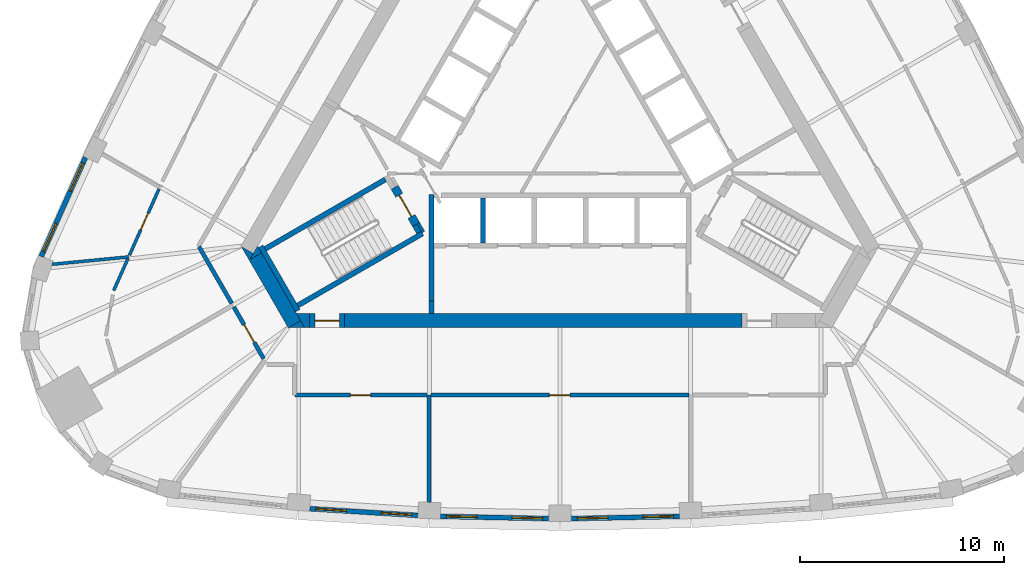
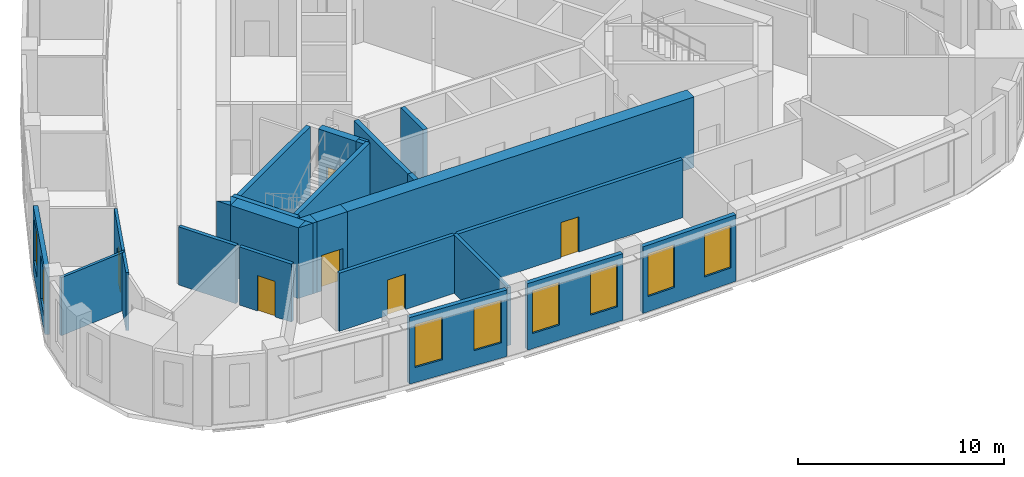
# One storey, part 3 of 11: 28 walls, 8 windows, 6 doors, 14 openings.
"""IFC4 building model written with IfcOpenShell, lengths in metres."""

from ifc_helpers import new_model, si_unit, direction, frame, frame_2d, origin, place, context, subcontext, project, spatial, polyline, rectangle, outline, extrude, material, layer, layer_set, type_object, element, fill, save


model = new_model("IFC4")

# Units and contexts
model_context = context("Model", 3, precision=1e-05, world=origin(), true_north=direction((0.0, 1.0)))
body_context = subcontext(model_context, "Body", "Model", "MODEL_VIEW")
ifc_project = project(units=[si_unit("LENGTHUNIT", "METRE"), si_unit("AREAUNIT", "SQUARE_METRE"), si_unit("VOLUMEUNIT", "CUBIC_METRE"), si_unit("PLANEANGLEUNIT", "RADIAN"), si_unit("MASSUNIT", "GRAM", prefix="KILO")], contexts=[model_context])

# Site, building, storey
site_placement = place(None, origin())
site = spatial("IfcSite", under=ifc_project, at=site_placement, CompositionType="ELEMENT")
building_placement = place(site_placement, origin())
building = spatial("IfcBuilding", under=site, at=building_placement, Name="Mestral Congress Tower", CompositionType="ELEMENT")
storey_placement = place(building_placement, frame((0.0, 0.0, 210.0)))
storey = spatial("IfcBuildingStorey", under=building, at=storey_placement, Name="L49", CompositionType="ELEMENT", Elevation=210.0)

# Walls
ifc_material_1 = material(Name="Concrete C60/75", Category="concrete")
ifc_layer_1 = layer(ifc_material_1, 0.699951171875)
ifc_layer_set_1 = layer_set([ifc_layer_1], Name="Concrete C60/75")
wall_type_1 = type_object("IfcWallType", Name="Core wall RC 700", PredefinedType="SOLIDWALL", material=ifc_layer_set_1)
placement = place(storey_placement, origin())
element("IfcWall", 1, at=placement, inside=storey, type_object=wall_type_1, Name="L49 core wall", PredefinedType="SOLIDWALL", context=body_context, shape_type="SweptSolid", body=[
    extrude(outline(polyline([(-15.213134765625, -7.050048828125), (-15.60107421875, -6.3779296875), (-15.019287109375, -6.714111328125), (-15.213134765625, -7.050048828125)])), origin(), (0.0, 0.0, 1.0), 4.199951171875),
])
wall_2_placement = place(storey_placement, frame((-14.9169921875, -6.86279296875, 0.0), z_axis=(0.0, 0.0, 1.0), x_axis=(0.499972675833, -0.866041178825, 0.0)))
element("IfcWall", 2, at=wall_2_placement, inside=storey, type_object=wall_type_1, Name="L49 core wall", PredefinedType="SOLIDWALL", context=body_context, shape_type="SweptSolid", body=[
    extrude(rectangle(XDim=3.828857421875, YDim=0.699951171875, at=frame_2d((1.91455078125, 0.0))), origin(), (0.0, 0.0, 1.0), 4.199951171875),
])
element("IfcWall", 3, at=placement, inside=storey, type_object=wall_type_1, Name="L49 core wall", PredefinedType="SOLIDWALL", context=body_context, shape_type="SweptSolid", body=[
    extrude(outline(polyline([(-14.80908203125, -6.35009765625), (-14.614990234375, -6.68603515625), (-15.197265625, -7.022216796875), (-14.80908203125, -6.35009765625)])), origin(), (0.0, 0.0, 1.0), 4.199951171875),
])
element("IfcWall", 4, at=placement, inside=storey, type_object=wall_type_1, Name="L49 core wall", PredefinedType="SOLIDWALL", context=body_context, shape_type="SweptSolid", body=[
    extrude(outline(polyline([(-12.49951171875, -10.35009765625), (-13.295654296875, -10.35009765625), (-12.698486328125, -10.00537109375), (-12.49951171875, -10.35009765625)])), origin(), (0.0, 0.0, 1.0), 4.199951171875),
])
element("IfcWall", 5, at=placement, inside=storey, type_object=wall_type_1, Name="L49 core wall", PredefinedType="SOLIDWALL", context=body_context, shape_type="SweptSolid", body=[
    extrude(outline(polyline([(-12.256591796875, -10.35009765625), (-12.49951171875, -10.35009765625), (-12.90380859375, -9.64990234375), (-12.256591796875, -9.64990234375), (-12.256591796875, -10.35009765625)])), origin(), (0.0, 0.0, 1.0), 4.199951171875),
])
wall_6_placement = place(storey_placement, frame((-10.556396484375, -10.0, 0.0), z_axis=(0.0, 0.0, 1.0), x_axis=(1.0, 0.0, 0.0)))
element("IfcWall", 6, at=wall_6_placement, inside=storey, type_object=wall_type_1, Name="L49 core wall", PredefinedType="SOLIDWALL", context=body_context, shape_type="SweptSolid", body=[
    extrude(rectangle(XDim=19.460693359375, YDim=0.699951171875, at=frame_2d((9.73046875, 0.0))), origin(), (0.0, 0.0, 1.0), 4.199951171875),
])

# Wall, opening, door
wall_7_placement = place(storey_placement, frame((-10.556396484375, -10.0, 0.0), z_axis=(0.0, 0.0, 1.0), x_axis=(-1.0, 0.0, 0.0)))
wall_7 = element("IfcWall", 7, at=wall_7_placement, inside=storey, type_object=wall_type_1, Name="L49 door wall", PredefinedType="SOLIDWALL", context=body_context, shape_type="SweptSolid", body=[
    extrude(rectangle(XDim=1.699951171875, YDim=0.699951171875, at=frame_2d((0.85009765625, 0.0))), origin(), (0.0, 0.0, 1.0), 4.199951171875),
])
opening_1_placement = place(wall_7_placement, frame((0.25, 0.0, 0.0)))
opening_1 = element("IfcOpeningElement", 8, at=opening_1_placement, cuts=wall_7, Name="Opening XD3", PredefinedType="OPENING", context=body_context, shape_type="SweptSolid", body=[
    extrude(rectangle(XDim=1.199951171875, YDim=2.10009765625, at=frame_2d((0.60009765625, 1.050048828125))), frame((0.0, 0.35986328125, 0.0), z_axis=(0.0, -1.0, 0.0), x_axis=(1.0, 0.0, 0.0)), (0.0, 0.0, 1.0), 0.719970703125),
])
ifc_material_2 = material(Name="Fire-rated steel door set", Category="steel")
door_type_1 = type_object("IfcDoorType", Name="Core door XD 1200x2100", OperationType="SINGLE_SWING_LEFT", PredefinedType="DOOR", material=ifc_material_2)
door_1_placement = place(opening_1_placement, origin())
door_1 = element("IfcDoor", 9, at=door_1_placement, inside=storey, type_object=door_type_1, Name="Door XD3", OperationType="SINGLE_SWING_LEFT", OverallHeight=2.10009765625, OverallWidth=1.199951171875, PredefinedType="DOOR", context=body_context, shape_type="SweptSolid", body=[
    extrude(rectangle(XDim=1.199951171875, YDim=2.10009765625, at=frame_2d((0.60009765625, 1.050048828125))), frame((0.0, 0.02490234375, 0.0), z_axis=(0.0, -1.0, 0.0), x_axis=(1.0, 0.0, 0.0)), (0.0, 0.0, 1.0), 0.050048828125),
])
fill(opening_1, door_1)

# Wall, openings, windows
ifc_material_3 = material(Name="Precast concrete C40/50 with limestone facing", Category="masonry")
ifc_layer_2 = layer(ifc_material_3, 0.239990234375)
ifc_layer_set_2 = layer_set([ifc_layer_2], Name="Precast concrete C40/50 with limestone facing")
wall_type_2 = type_object("IfcWallType", Name="Facade stone wall 240", PredefinedType="SOLIDWALL", material=ifc_layer_set_2)
wall_8_placement = place(storey_placement, frame((-12.253173828125, -19.21337890625, 0.0), z_axis=(0.0, 0.0, 1.0), x_axis=(0.9980633213, -0.062206162685, 0.0)))
wall_8 = element("IfcWall", 10, at=wall_8_placement, inside=storey, type_object=wall_type_2, Name="Facade wall F0-01", PredefinedType="SOLIDWALL", context=body_context, shape_type="SweptSolid", body=[
    extrude(rectangle(XDim=5.29833984375, YDim=0.239990234375, at=frame_2d((2.649169921875, 0.0))), origin(), (0.0, 0.0, 1.0), 3.949951171875),
])
opening_2_placement = place(wall_8_placement, frame((0.29443359375, 0.0, 0.89990234375)))
opening_2 = element("IfcOpeningElement", 11, at=opening_2_placement, cuts=wall_8, Name="Opening W4", PredefinedType="OPENING", context=body_context, shape_type="SweptSolid", body=[
    extrude(rectangle(XDim=1.5, YDim=2.550048828125, at=frame_2d((0.75, 1.27490234375))), frame((0.0, 0.1298828125, 0.0), z_axis=(0.0, -1.0, 0.0), x_axis=(1.0, 0.0, 0.0)), (0.0, 0.0, 1.0), 0.260009765625),
])
opening_3_placement = place(wall_8_placement, frame((3.503662109375, 0.0, 0.89990234375)))
opening_3 = element("IfcOpeningElement", 12, at=opening_3_placement, cuts=wall_8, Name="Opening W4", PredefinedType="OPENING", context=body_context, shape_type="SweptSolid", body=[
    extrude(rectangle(XDim=1.5, YDim=2.550048828125, at=frame_2d((0.75, 1.27490234375))), frame((0.0, 0.1298828125, 0.0), z_axis=(0.0, -1.0, 0.0), x_axis=(1.0, 0.0, 0.0)), (0.0, 0.0, 1.0), 0.260009765625),
])
ifc_material_4 = material(Name="Clear low-emissivity double glazing", Category="glass")
window_type = type_object("IfcWindowType", Name="Facade punched window 1500 x 2550 sill 900", PartitioningType="SINGLE_PANEL", PredefinedType="WINDOW", material=ifc_material_4)
window_1_placement = place(opening_2_placement, origin())
window_1 = element("IfcWindow", 13, at=window_1_placement, inside=storey, type_object=window_type, Name="Window F0-01a", OverallHeight=2.550048828125, OverallWidth=1.5, PartitioningType="SINGLE_PANEL", PredefinedType="WINDOW", context=body_context, shape_type="SweptSolid", body=[
    extrude(rectangle(XDim=1.5, YDim=2.550048828125, at=frame_2d((0.75, 1.27490234375))), frame((0.0, 0.0400390625, 0.0), z_axis=(0.0, -1.0, 0.0), x_axis=(1.0, 0.0, 0.0)), (0.0, 0.0, 1.0), 0.06005859375),
])
fill(opening_2, window_1)
window_2_placement = place(opening_3_placement, origin())
window_2 = element("IfcWindow", 14, at=window_2_placement, inside=storey, type_object=window_type, Name="Window F0-01b", OverallHeight=2.550048828125, OverallWidth=1.5, PartitioningType="SINGLE_PANEL", PredefinedType="WINDOW", context=body_context, shape_type="SweptSolid", body=[
    extrude(rectangle(XDim=1.5, YDim=2.550048828125, at=frame_2d((0.75, 1.27490234375))), frame((0.0, 0.0400390625, 0.0), z_axis=(0.0, -1.0, 0.0), x_axis=(1.0, 0.0, 0.0)), (0.0, 0.0, 1.0), 0.06005859375),
])
fill(opening_3, window_2)

wall_9_placement = place(storey_placement, frame((-5.853515625, -19.589111328125, 0.0), z_axis=(0.0, 0.0, 1.0), x_axis=(0.999784035184, -0.020781794712, 0.0)))
wall_9 = element("IfcWall", 15, at=wall_9_placement, inside=storey, type_object=wall_type_2, Name="Facade wall F0-02", PredefinedType="SOLIDWALL", context=body_context, shape_type="SweptSolid", body=[
    extrude(rectangle(XDim=5.29833984375, YDim=0.239990234375, at=frame_2d((2.649169921875, 0.0))), origin(), (0.0, 0.0, 1.0), 3.949951171875),
])
opening_4_placement = place(wall_9_placement, frame((0.29443359375, 0.0, 0.89990234375)))
opening_4 = element("IfcOpeningElement", 16, at=opening_4_placement, cuts=wall_9, Name="Opening W4", PredefinedType="OPENING", context=body_context, shape_type="SweptSolid", body=[
    extrude(rectangle(XDim=1.5, YDim=2.550048828125, at=frame_2d((0.75, 1.27490234375))), frame((0.0, 0.1298828125, 0.0), z_axis=(0.0, -1.0, 0.0), x_axis=(1.0, 0.0, 0.0)), (0.0, 0.0, 1.0), 0.260009765625),
])
opening_5_placement = place(wall_9_placement, frame((3.503662109375, 0.0, 0.89990234375)))
opening_5 = element("IfcOpeningElement", 17, at=opening_5_placement, cuts=wall_9, Name="Opening W4", PredefinedType="OPENING", context=body_context, shape_type="SweptSolid", body=[
    extrude(rectangle(XDim=1.5, YDim=2.550048828125, at=frame_2d((0.75, 1.27490234375))), frame((0.0, 0.1298828125, 0.0), z_axis=(0.0, -1.0, 0.0), x_axis=(1.0, 0.0, 0.0)), (0.0, 0.0, 1.0), 0.260009765625),
])
window_3_placement = place(opening_4_placement, origin())
window_3 = element("IfcWindow", 18, at=window_3_placement, inside=storey, type_object=window_type, Name="Window F0-02a", OverallHeight=2.550048828125, OverallWidth=1.5, PartitioningType="SINGLE_PANEL", PredefinedType="WINDOW", context=body_context, shape_type="SweptSolid", body=[
    extrude(rectangle(XDim=1.5, YDim=2.550048828125, at=frame_2d((0.75, 1.27490234375))), frame((0.0, 0.0400390625, 0.0), z_axis=(0.0, -1.0, 0.0), x_axis=(1.0, 0.0, 0.0)), (0.0, 0.0, 1.0), 0.06005859375),
])
fill(opening_4, window_3)
window_4_placement = place(opening_5_placement, origin())
window_4 = element("IfcWindow", 19, at=window_4_placement, inside=storey, type_object=window_type, Name="Window F0-02b", OverallHeight=2.550048828125, OverallWidth=1.5, PartitioningType="SINGLE_PANEL", PredefinedType="WINDOW", context=body_context, shape_type="SweptSolid", body=[
    extrude(rectangle(XDim=1.5, YDim=2.550048828125, at=frame_2d((0.75, 1.27490234375))), frame((0.0, 0.0400390625, 0.0), z_axis=(0.0, -1.0, 0.0), x_axis=(1.0, 0.0, 0.0)), (0.0, 0.0, 1.0), 0.06005859375),
])
fill(opening_5, window_4)

wall_10_placement = place(storey_placement, frame((0.556396484375, -19.69921875, 0.0), z_axis=(0.0, 0.0, 1.0), x_axis=(0.999784035184, 0.020781794712, 0.0)))
wall_10 = element("IfcWall", 20, at=wall_10_placement, inside=storey, type_object=wall_type_2, Name="Facade wall F0-03", PredefinedType="SOLIDWALL", context=body_context, shape_type="SweptSolid", body=[
    extrude(rectangle(XDim=5.29833984375, YDim=0.239990234375, at=frame_2d((2.649169921875, 0.0))), origin(), (0.0, 0.0, 1.0), 3.949951171875),
])
opening_6_placement = place(wall_10_placement, frame((0.29443359375, 0.0, 0.89990234375)))
opening_6 = element("IfcOpeningElement", 21, at=opening_6_placement, cuts=wall_10, Name="Opening W4", PredefinedType="OPENING", context=body_context, shape_type="SweptSolid", body=[
    extrude(rectangle(XDim=1.5, YDim=2.550048828125, at=frame_2d((0.75, 1.27490234375))), frame((0.0, 0.1298828125, 0.0), z_axis=(0.0, -1.0, 0.0), x_axis=(1.0, 0.0, 0.0)), (0.0, 0.0, 1.0), 0.260009765625),
])
opening_7_placement = place(wall_10_placement, frame((3.503662109375, 0.0, 0.89990234375)))
opening_7 = element("IfcOpeningElement", 22, at=opening_7_placement, cuts=wall_10, Name="Opening W4", PredefinedType="OPENING", context=body_context, shape_type="SweptSolid", body=[
    extrude(rectangle(XDim=1.5, YDim=2.550048828125, at=frame_2d((0.75, 1.27490234375))), frame((0.0, 0.1298828125, 0.0), z_axis=(0.0, -1.0, 0.0), x_axis=(1.0, 0.0, 0.0)), (0.0, 0.0, 1.0), 0.260009765625),
])
window_5_placement = place(opening_6_placement, origin())
window_5 = element("IfcWindow", 23, at=window_5_placement, inside=storey, type_object=window_type, Name="Window F0-03a", OverallHeight=2.550048828125, OverallWidth=1.5, PartitioningType="SINGLE_PANEL", PredefinedType="WINDOW", context=body_context, shape_type="SweptSolid", body=[
    extrude(rectangle(XDim=1.5, YDim=2.550048828125, at=frame_2d((0.75, 1.27490234375))), frame((0.0, 0.0400390625, 0.0), z_axis=(0.0, -1.0, 0.0), x_axis=(1.0, 0.0, 0.0)), (0.0, 0.0, 1.0), 0.06005859375),
])
fill(opening_6, window_5)
window_6_placement = place(opening_7_placement, origin())
window_6 = element("IfcWindow", 24, at=window_6_placement, inside=storey, type_object=window_type, Name="Window F0-03b", OverallHeight=2.550048828125, OverallWidth=1.5, PartitioningType="SINGLE_PANEL", PredefinedType="WINDOW", context=body_context, shape_type="SweptSolid", body=[
    extrude(rectangle(XDim=1.5, YDim=2.550048828125, at=frame_2d((0.75, 1.27490234375))), frame((0.0, 0.0400390625, 0.0), z_axis=(0.0, -1.0, 0.0), x_axis=(1.0, 0.0, 0.0)), (0.0, 0.0, 1.0), 0.06005859375),
])
fill(opening_7, window_6)

wall_11_placement = place(storey_placement, frame((-23.240478515625, -2.01123046875, 0.0), z_axis=(0.0, 0.0, 1.0), x_axis=(-0.407579651789, -0.913169659728, 0.0)))
wall_11 = element("IfcWall", 25, at=wall_11_placement, inside=storey, type_object=wall_type_2, Name="Facade wall F2-05", PredefinedType="SOLIDWALL", context=body_context, shape_type="SweptSolid", body=[
    extrude(rectangle(XDim=5.310791015625, YDim=0.239990234375, at=frame_2d((2.6552734375, 0.0))), origin(), (0.0, 0.0, 1.0), 3.949951171875),
])
opening_8_placement = place(wall_11_placement, frame((0.306396484375, 0.0, 0.89990234375)))
opening_8 = element("IfcOpeningElement", 26, at=opening_8_placement, cuts=wall_11, Name="Opening W4", PredefinedType="OPENING", context=body_context, shape_type="SweptSolid", body=[
    extrude(rectangle(XDim=1.5, YDim=2.550048828125, at=frame_2d((0.75, 1.27490234375))), frame((0.0, 0.1298828125, 0.0), z_axis=(0.0, -1.0, 0.0), x_axis=(1.0, 0.0, 0.0)), (0.0, 0.0, 1.0), 0.260009765625),
])
opening_9_placement = place(wall_11_placement, frame((3.539306640625, 0.0, 0.89990234375)))
opening_9 = element("IfcOpeningElement", 27, at=opening_9_placement, cuts=wall_11, Name="Opening W4", PredefinedType="OPENING", context=body_context, shape_type="SweptSolid", body=[
    extrude(rectangle(XDim=1.5, YDim=2.550048828125, at=frame_2d((0.75, 1.27490234375))), frame((0.0, 0.1298828125, 0.0), z_axis=(0.0, -1.0, 0.0), x_axis=(1.0, 0.0, 0.0)), (0.0, 0.0, 1.0), 0.260009765625),
])
window_7_placement = place(opening_8_placement, origin())
window_7 = element("IfcWindow", 28, at=window_7_placement, inside=storey, type_object=window_type, Name="Window F2-05a", OverallHeight=2.550048828125, OverallWidth=1.5, PartitioningType="SINGLE_PANEL", PredefinedType="WINDOW", context=body_context, shape_type="SweptSolid", body=[
    extrude(rectangle(XDim=1.5, YDim=2.550048828125, at=frame_2d((0.75, 1.27490234375))), frame((0.0, 0.0400390625, 0.0), z_axis=(0.0, -1.0, 0.0), x_axis=(1.0, 0.0, 0.0)), (0.0, 0.0, 1.0), 0.06005859375),
])
fill(opening_8, window_7)
window_8_placement = place(opening_9_placement, origin())
window_8 = element("IfcWindow", 29, at=window_8_placement, inside=storey, type_object=window_type, Name="Window F2-05b", OverallHeight=2.550048828125, OverallWidth=1.5, PartitioningType="SINGLE_PANEL", PredefinedType="WINDOW", context=body_context, shape_type="SweptSolid", body=[
    extrude(rectangle(XDim=1.5, YDim=2.550048828125, at=frame_2d((0.75, 1.27490234375))), frame((0.0, 0.0400390625, 0.0), z_axis=(0.0, -1.0, 0.0), x_axis=(1.0, 0.0, 0.0)), (0.0, 0.0, 1.0), 0.06005859375),
])
fill(opening_9, window_8)

# Wall
ifc_material_5 = material(Name="Plasterboard partition on steel studs", Category="steel")
ifc_layer_3 = layer(ifc_material_5, 0.14990234375)
ifc_layer_set_3 = layer_set([ifc_layer_3], Name="Plasterboard partition on steel studs")
wall_type_3 = type_object("IfcWallType", Name="Office partition 150", PredefinedType="PARTITIONING", material=ifc_layer_set_3)
wall_12_placement = place(storey_placement, frame((-21.121826171875, -6.882080078125, 0.0), z_axis=(0.0, 0.0, 1.0), x_axis=(-0.995354824533, -0.096274468471, 0.0)))
element("IfcWall", 30, at=wall_12_placement, inside=storey, type_object=wall_type_3, Name="Partition", PredefinedType="PARTITIONING", context=body_context, shape_type="SweptSolid", body=[
    extrude(rectangle(XDim=3.765869140625, YDim=0.14990234375, at=frame_2d((1.8828125, 0.0))), origin(), (0.0, 0.0, 1.0), 3.449951171875),
])

# Wall, opening, door
wall_13_placement = place(storey_placement, frame((-21.086669921875, -6.803466796875, 0.0), z_axis=(0.0, 0.0, 1.0), x_axis=(0.40757725445, 0.913170729741, 0.0)))
wall_13 = element("IfcWall", 31, at=wall_13_placement, inside=storey, type_object=wall_type_3, Name="Partition", PredefinedType="PARTITIONING", context=body_context, shape_type="SweptSolid", body=[
    extrude(rectangle(XDim=3.556884765625, YDim=0.14990234375, at=frame_2d((1.7783203125, 0.0))), origin(), (0.0, 0.0, 1.0), 3.449951171875),
])
opening_10_placement = place(wall_13_placement, frame((1.356689453125, 0.0, 0.0)))
opening_10 = element("IfcOpeningElement", 32, at=opening_10_placement, cuts=wall_13, Name="Opening O06-016", PredefinedType="OPENING", context=body_context, shape_type="SweptSolid", body=[
    extrude(rectangle(XDim=0.89990234375, YDim=2.10009765625, at=frame_2d((0.449951171875, 1.050048828125))), frame((0.0, 0.0849609375, 0.0), z_axis=(0.0, -1.0, 0.0), x_axis=(1.0, 0.0, 0.0)), (0.0, 0.0, 1.0), 0.169921875),
])
ifc_material_6 = material(Name="Timber door set", Category="wood")
door_type_2 = type_object("IfcDoorType", Name="Office door 900x2100", OperationType="SINGLE_SWING_LEFT", PredefinedType="DOOR", material=ifc_material_6)
door_2_placement = place(opening_10_placement, origin())
door_2 = element("IfcDoor", 33, at=door_2_placement, inside=storey, type_object=door_type_2, Name="Door O06-016", OperationType="SINGLE_SWING_RIGHT", OverallHeight=2.10009765625, OverallWidth=0.89990234375, PredefinedType="DOOR", context=body_context, shape_type="SweptSolid", body=[
    extrude(rectangle(XDim=0.89990234375, YDim=2.10009765625, at=frame_2d((0.449951171875, 1.050048828125))), frame((0.0, 0.02490234375, 0.0), z_axis=(0.0, -1.0, 0.0), x_axis=(1.0, 0.0, 0.0)), (0.0, 0.0, 1.0), 0.050048828125),
])
fill(opening_10, door_2)

# Walls
wall_14_placement = place(storey_placement, frame((-21.156982421875, -6.9609375, 0.0), z_axis=(0.0, 0.0, 1.0), x_axis=(-0.407627569492, -0.913148270869, 0.0)))
element("IfcWall", 34, at=wall_14_placement, inside=storey, type_object=wall_type_3, Name="Partition", PredefinedType="PARTITIONING", context=body_context, shape_type="SweptSolid", body=[
    extrude(rectangle(XDim=1.71826171875, YDim=0.14990234375, at=frame_2d((0.859130859375, 0.0))), origin(), (0.0, 0.0, 1.0), 3.449951171875),
])
ifc_material_7 = material(Name="Dense masonry wall, plastered", Category="masonry")
ifc_layer_4 = layer(ifc_material_7, 0.199951171875)
ifc_layer_set_4 = layer_set([ifc_layer_4], Name="Dense masonry wall, plastered")
wall_type_4 = type_object("IfcWallType", Name="Office tenancy wall 200", PredefinedType="PARTITIONING", material=ifc_layer_set_4)
wall_15_placement = place(storey_placement, frame((-6.416748046875, -13.64990234375, 0.0), z_axis=(0.0, 0.0, 1.0), x_axis=(0.0, -1.0, 0.0)))
element("IfcWall", 35, at=wall_15_placement, inside=storey, type_object=wall_type_4, Name="Tenancy wall", PredefinedType="PARTITIONING", context=body_context, shape_type="SweptSolid", body=[
    extrude(rectangle(XDim=5.246826171875, YDim=0.199951171875, at=frame_2d((2.62353515625, 0.0))), origin(), (0.0, 0.0, 1.0), 3.449951171875),
])

# Wall, opening, door
wall_16_placement = place(storey_placement, frame((-12.969970703125, -13.64990234375, 0.0), z_axis=(0.0, 0.0, 1.0), x_axis=(1.0, 0.0, 0.0)))
wall_16 = element("IfcWall", 36, at=wall_16_placement, inside=storey, type_object=wall_type_4, Name="Tenancy wall", PredefinedType="PARTITIONING", context=body_context, shape_type="SweptSolid", body=[
    extrude(rectangle(XDim=6.453125, YDim=0.199951171875, at=frame_2d((3.2265625, 0.0))), origin(), (0.0, 0.0, 1.0), 3.449951171875),
])
opening_11_placement = place(wall_16_placement, frame((2.699951171875, 0.0, 0.0)))
opening_11 = element("IfcOpeningElement", 37, at=opening_11_placement, cuts=wall_16, Name="Opening O06-001", PredefinedType="OPENING", context=body_context, shape_type="SweptSolid", body=[
    extrude(rectangle(XDim=1.0, YDim=2.10009765625, at=frame_2d((0.5, 1.050048828125))), frame((0.0, 0.10986328125, 0.0), z_axis=(0.0, -1.0, 0.0), x_axis=(1.0, 0.0, 0.0)), (0.0, 0.0, 1.0), 0.219970703125),
])
ifc_material_8 = material(Name="Fire-rated timber door set", Category="wood")
door_type_3 = type_object("IfcDoorType", Name="Office tenancy entrance door 1000x2100", OperationType="SINGLE_SWING_LEFT", PredefinedType="DOOR", material=ifc_material_8)
door_3_placement = place(opening_11_placement, origin())
door_3 = element("IfcDoor", 38, at=door_3_placement, inside=storey, type_object=door_type_3, Name="Door O06-001", OperationType="SINGLE_SWING_LEFT", OverallHeight=2.10009765625, OverallWidth=1.0, PredefinedType="DOOR", context=body_context, shape_type="SweptSolid", body=[
    extrude(rectangle(XDim=1.0, YDim=2.10009765625, at=frame_2d((0.5, 1.050048828125))), frame((0.0, 0.02490234375, 0.0), z_axis=(0.0, -1.0, 0.0), x_axis=(1.0, 0.0, 0.0)), (0.0, 0.0, 1.0), 0.050048828125),
])
fill(opening_11, door_3)

wall_17_placement = place(storey_placement, frame((-6.31689453125, -13.64990234375, 0.0), z_axis=(0.0, 0.0, 1.0), x_axis=(1.0, 0.0, 0.0)))
wall_17 = element("IfcWall", 39, at=wall_17_placement, inside=storey, type_object=wall_type_4, Name="Tenancy wall", PredefinedType="PARTITIONING", context=body_context, shape_type="SweptSolid", body=[
    extrude(rectangle(XDim=12.6337890625, YDim=0.199951171875, at=frame_2d((6.31689453125, 0.0))), origin(), (0.0, 0.0, 1.0), 3.449951171875),
])
opening_12_placement = place(wall_17_placement, frame((5.800048828125, 0.0, 0.0)))
opening_12 = element("IfcOpeningElement", 40, at=opening_12_placement, cuts=wall_17, Name="Opening O06-002", PredefinedType="OPENING", context=body_context, shape_type="SweptSolid", body=[
    extrude(rectangle(XDim=1.0, YDim=2.10009765625, at=frame_2d((0.5, 1.050048828125))), frame((0.0, 0.10986328125, 0.0), z_axis=(0.0, -1.0, 0.0), x_axis=(1.0, 0.0, 0.0)), (0.0, 0.0, 1.0), 0.219970703125),
])
door_4_placement = place(opening_12_placement, origin())
door_4 = element("IfcDoor", 41, at=door_4_placement, inside=storey, type_object=door_type_3, Name="Door O06-002", OperationType="SINGLE_SWING_LEFT", OverallHeight=2.10009765625, OverallWidth=1.0, PredefinedType="DOOR", context=body_context, shape_type="SweptSolid", body=[
    extrude(rectangle(XDim=1.0, YDim=2.10009765625, at=frame_2d((0.5, 1.050048828125))), frame((0.0, 0.02490234375, 0.0), z_axis=(0.0, -1.0, 0.0), x_axis=(1.0, 0.0, 0.0)), (0.0, 0.0, 1.0), 0.050048828125),
])
fill(opening_12, door_4)

# Wall
wall_18_placement = place(storey_placement, frame((-17.680908203125, -6.3759765625, 0.0), z_axis=(0.0, 0.0, 1.0), x_axis=(0.500022299258, -0.866012528919, 0.0)))
element("IfcWall", 42, at=wall_18_placement, inside=storey, type_object=wall_type_4, Name="Tenancy wall", PredefinedType="PARTITIONING", context=body_context, shape_type="SweptSolid", body=[
    extrude(rectangle(XDim=3.218505859375, YDim=0.199951171875, at=frame_2d((1.609375, 0.0))), origin(), (0.0, 0.0, 1.0), 3.449951171875),
])

# Wall, opening, door
wall_19_placement = place(storey_placement, frame((-15.971435546875, -9.336669921875, 0.0), z_axis=(0.0, 0.0, 1.0), x_axis=(0.500007233661, -0.866021227388, 0.0)))
wall_19 = element("IfcWall", 43, at=wall_19_placement, inside=storey, type_object=wall_type_4, Name="Tenancy wall", PredefinedType="PARTITIONING", context=body_context, shape_type="SweptSolid", body=[
    extrude(rectangle(XDim=2.9189453125, YDim=0.199951171875, at=frame_2d((1.45947265625, 0.0))), origin(), (0.0, 0.0, 1.0), 3.449951171875),
])
opening_13_placement = place(wall_19_placement, frame((1.0, 0.0, 0.0)))
opening_13 = element("IfcOpeningElement", 44, at=opening_13_placement, cuts=wall_19, Name="Opening O06-019", PredefinedType="OPENING", context=body_context, shape_type="SweptSolid", body=[
    extrude(rectangle(XDim=1.0, YDim=2.10009765625, at=frame_2d((0.5, 1.050048828125))), frame((0.0, 0.10986328125, 0.0), z_axis=(0.0, -1.0, 0.0), x_axis=(1.0, 0.0, 0.0)), (0.0, 0.0, 1.0), 0.219970703125),
])
door_5_placement = place(opening_13_placement, origin())
door_5 = element("IfcDoor", 45, at=door_5_placement, inside=storey, type_object=door_type_3, Name="Door O06-019", OperationType="SINGLE_SWING_RIGHT", OverallHeight=2.10009765625, OverallWidth=1.0, PredefinedType="DOOR", context=body_context, shape_type="SweptSolid", body=[
    extrude(rectangle(XDim=1.0, YDim=2.10009765625, at=frame_2d((0.5, 1.050048828125))), frame((0.0, 0.02490234375, 0.0), z_axis=(0.0, -1.0, 0.0), x_axis=(1.0, 0.0, 0.0)), (0.0, 0.0, 1.0), 0.050048828125),
])
fill(opening_13, door_5)

# Walls
ifc_layer_5 = layer(ifc_material_1, 0.25)
ifc_layer_set_5 = layer_set([ifc_layer_5], Name="Concrete C60/75")
wall_type_5 = type_object("IfcWallType", Name="Shaft wall RC 250", PredefinedType="SOLIDWALL", material=ifc_layer_set_5)
wall_20_placement = place(storey_placement, frame((-6.300048828125, -9.050048828125, 0.0), z_axis=(0.0, 0.0, 1.0), x_axis=(0.0, 1.0, 0.0)))
element("IfcWall", 46, at=wall_20_placement, inside=storey, type_object=wall_type_5, Name="L49 core wall", PredefinedType="SOLIDWALL", context=body_context, shape_type="SweptSolid", body=[
    extrude(rectangle(XDim=5.22998046875, YDim=0.25, at=frame_2d((2.614990234375, 0.0))), origin(), (0.0, 0.0, 1.0), 4.199951171875),
])
wall_21_placement = place(storey_placement, frame((-6.300048828125, -9.052001953125, 0.0), z_axis=(0.0, 0.0, 1.0), x_axis=(0.0, -1.0, 0.0)))
element("IfcWall", 47, at=wall_21_placement, inside=storey, type_object=wall_type_5, Name="L49 core wall", PredefinedType="SOLIDWALL", context=body_context, shape_type="SweptSolid", body=[
    extrude(rectangle(XDim=0.597900390625, YDim=0.25, at=frame_2d((0.298828125, 0.0))), origin(), (0.0, 0.0, 1.0), 4.199951171875),
])
wall_22_placement = place(storey_placement, frame((-3.780029296875, -4.0, 0.0), z_axis=(0.0, 0.0, 1.0), x_axis=(0.0, -1.0, 0.0)))
element("IfcWall", 48, at=wall_22_placement, inside=storey, type_object=wall_type_5, Name="L49 core wall", PredefinedType="SOLIDWALL", context=body_context, shape_type="SweptSolid", body=[
    extrude(rectangle(XDim=2.199951171875, YDim=0.25, at=frame_2d((1.10009765625, 0.0))), origin(), (0.0, 0.0, 1.0), 4.199951171875),
])
ifc_layer_6 = layer(ifc_material_1, 0.14990234375)
ifc_layer_set_6 = layer_set([ifc_layer_6], Name="Concrete C60/75")
wall_type_6 = type_object("IfcWallType", Name="Shaft wall RC 250 door-wall 150", PredefinedType="SOLIDWALL", material=ifc_layer_set_6)
wall_23_placement = place(storey_placement, frame((-6.940185546875, -5.230224609375, 0.0), z_axis=(0.0, 0.0, 1.0), x_axis=(0.499834152157, -0.86612113491, 0.0)))
element("IfcWall", 49, at=wall_23_placement, inside=storey, type_object=wall_type_6, Name="L49 core wall", PredefinedType="PARTITIONING", context=body_context, shape_type="SweptSolid", body=[
    extrude(rectangle(XDim=0.504638671875, YDim=0.14990234375, at=frame_2d((0.25244140625, 0.0))), origin(), (0.0, 0.0, 1.0), 4.199951171875),
])
ifc_layer_7 = layer(ifc_material_1, 0.25)
ifc_layer_set_7 = layer_set([ifc_layer_7], Name="Concrete C60/75")
wall_type_7 = type_object("IfcWallType", Name="Stair wall RC 250", PredefinedType="SOLIDWALL", material=ifc_layer_set_7)
wall_24_placement = place(storey_placement, frame((-12.839599609375, -9.510986328125, 0.0), z_axis=(0.0, 0.0, 1.0), x_axis=(-0.500048121057, 0.865997619297, 0.0)))
element("IfcWall", 50, at=wall_24_placement, inside=storey, type_object=wall_type_7, Name="L49 core wall", PredefinedType="SOLIDWALL", context=body_context, shape_type="SweptSolid", body=[
    extrude(rectangle(XDim=3.634033203125, YDim=0.25, at=frame_2d((1.81689453125, 0.0))), origin(), (0.0, 0.0, 1.0), 4.199951171875),
])
wall_25_placement = place(storey_placement, frame((-14.43994140625, -6.489501953125, 0.0), z_axis=(0.0, 0.0, 1.0), x_axis=(0.866022966069, 0.500004222222, 0.0)))
element("IfcWall", 51, at=wall_25_placement, inside=storey, type_object=wall_type_7, Name="L49 core wall", PredefinedType="SOLIDWALL", context=body_context, shape_type="SweptSolid", body=[
    extrude(rectangle(XDim=6.80029296875, YDim=0.25, at=frame_2d((3.400146484375, 0.0))), origin(), (0.0, 0.0, 1.0), 4.199951171875),
])
wall_26_placement = place(storey_placement, frame((-12.83984375, -9.2607421875, 0.0), z_axis=(0.0, 0.0, 1.0), x_axis=(0.866016039709, 0.500016218704, 0.0)))
element("IfcWall", 52, at=wall_26_placement, inside=storey, type_object=wall_type_7, Name="L49 core wall", PredefinedType="SOLIDWALL", context=body_context, shape_type="SweptSolid", body=[
    extrude(rectangle(XDim=7.050048828125, YDim=0.25, at=frame_2d((3.52490234375, 0.0))), origin(), (0.0, 0.0, 1.0), 4.199951171875),
])
wall_27_placement = place(storey_placement, frame((-6.905029296875, -5.68994140625, 0.0), z_axis=(0.0, 0.0, 1.0), x_axis=(-0.499993700073, 0.866029041019, 0.0)))
element("IfcWall", 53, at=wall_27_placement, inside=storey, type_object=wall_type_7, Name="L49 core wall", PredefinedType="SOLIDWALL", context=body_context, shape_type="SweptSolid", body=[
    extrude(rectangle(XDim=0.41552734375, YDim=0.25, at=frame_2d((0.207763671875, 0.0))), origin(), (0.0, 0.0, 1.0), 4.199951171875),
])

# Wall, opening, door
ifc_layer_8 = layer(ifc_material_1, 0.39990234375)
ifc_layer_set_8 = layer_set([ifc_layer_8], Name="Concrete C60/75")
wall_type_8 = type_object("IfcWallType", Name="Stair wall RC 250 door-wall 400", PredefinedType="SOLIDWALL", material=ifc_layer_set_8)
wall_28_placement = place(storey_placement, frame((-8.097900390625, -3.473876953125, 0.0), z_axis=(0.0, 0.0, 1.0), x_axis=(0.49994051562, -0.866059744384, 0.0)))
wall_28 = element("IfcWall", 54, at=wall_28_placement, inside=storey, type_object=wall_type_8, Name="L49 door wall", PredefinedType="SOLIDWALL", context=body_context, shape_type="SweptSolid", body=[
    extrude(rectangle(XDim=2.099853515625, YDim=0.39990234375, at=frame_2d((1.0498046875, 0.0))), origin(), (0.0, 0.0, 1.0), 4.199951171875),
])
opening_14_placement = place(wall_28_placement, frame((0.449951171875, 0.0, 0.0)))
opening_14 = element("IfcOpeningElement", 55, at=opening_14_placement, cuts=wall_28, Name="Opening ST-D3", PredefinedType="OPENING", context=body_context, shape_type="SweptSolid", body=[
    extrude(rectangle(XDim=1.199951171875, YDim=2.10009765625, at=frame_2d((0.60009765625, 1.050048828125))), frame((0.0, 0.2099609375, 0.0), z_axis=(0.0, -1.0, 0.0), x_axis=(1.0, 0.0, 0.0)), (0.0, 0.0, 1.0), 0.419921875),
])
door_type_4 = type_object("IfcDoorType", Name="Core door ST 1200x2100", OperationType="SINGLE_SWING_LEFT", PredefinedType="DOOR", material=ifc_material_2)
door_6_placement = place(opening_14_placement, origin())
door_6 = element("IfcDoor", 56, at=door_6_placement, inside=storey, type_object=door_type_4, Name="Door ST-D3", OperationType="SINGLE_SWING_LEFT", OverallHeight=2.10009765625, OverallWidth=1.199951171875, PredefinedType="DOOR", context=body_context, shape_type="SweptSolid", body=[
    extrude(rectangle(XDim=1.199951171875, YDim=2.10009765625, at=frame_2d((0.60009765625, 1.050048828125))), frame((0.0, 0.02490234375, 0.0), z_axis=(0.0, -1.0, 0.0), x_axis=(1.0, 0.0, 0.0)), (0.0, 0.0, 1.0), 0.050048828125),
])
fill(opening_14, door_6)

save(model, "model.ifc")
